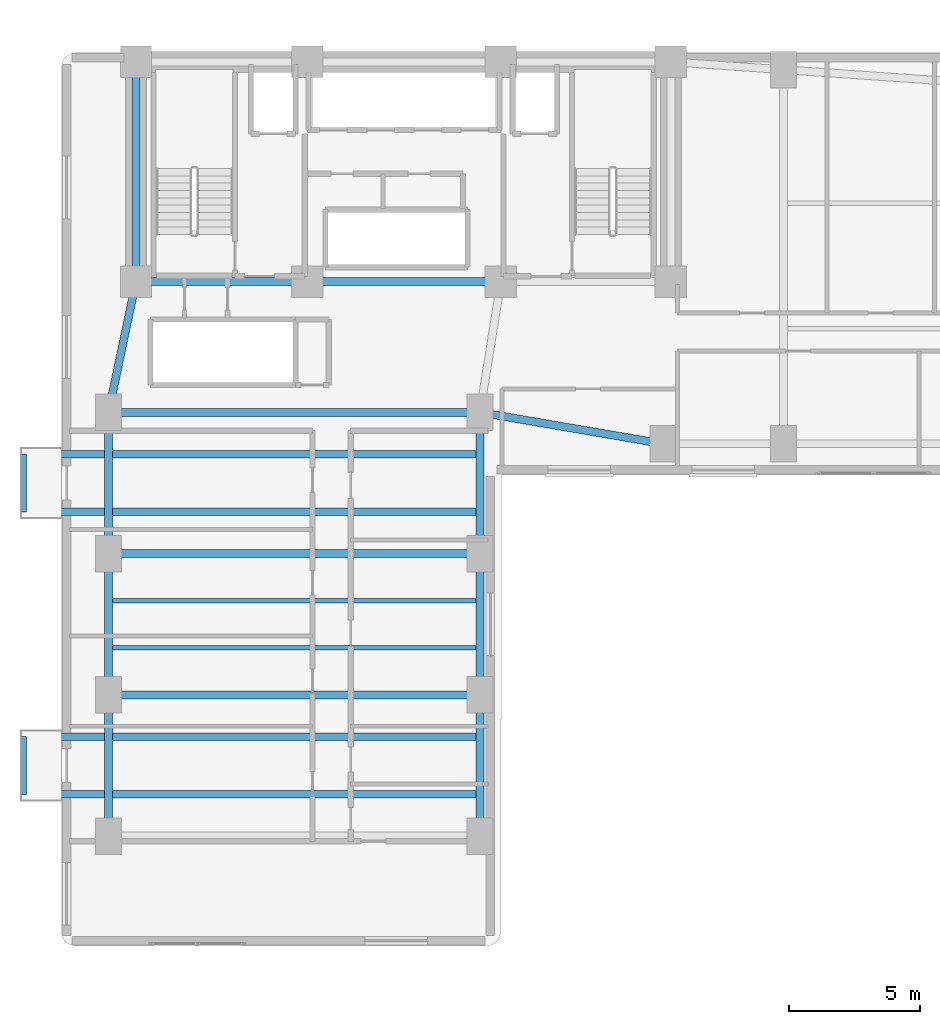
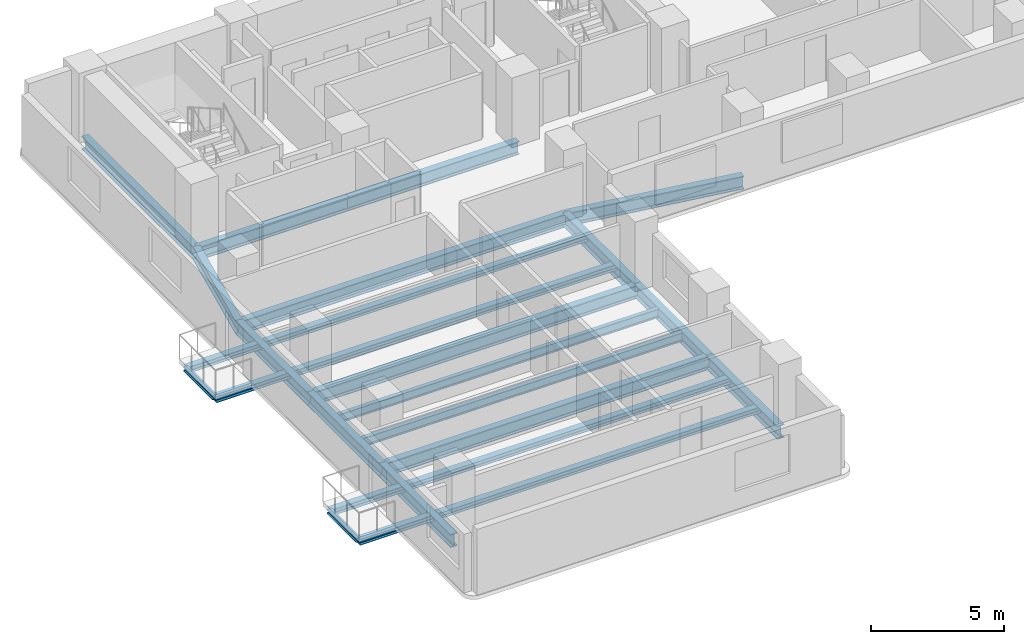
# One storey, part 3 of 17: 22 beams.
"""IFC4 building model written with IfcOpenShell, lengths in metres."""

from ifc_helpers import new_model, si_unit, direction, frame, origin, origin_2d, place, context, subcontext, project, spatial, i_section, extrude, material, material_profile, profile_set, type_object, element, save


model = new_model("IFC4")

# Units and contexts
model_context = context("Model", 3, precision=1e-05, world=origin(), true_north=direction((0.0, 1.0)))
body_context = subcontext(model_context, "Body", "Model", "MODEL_VIEW")
ifc_project = project(units=[si_unit("LENGTHUNIT", "METRE"), si_unit("AREAUNIT", "SQUARE_METRE"), si_unit("VOLUMEUNIT", "CUBIC_METRE"), si_unit("PLANEANGLEUNIT", "RADIAN"), si_unit("MASSUNIT", "GRAM", prefix="KILO")], contexts=[model_context])

# Site, building, storey
site_placement = place(None, origin())
site = spatial("IfcSite", under=ifc_project, at=site_placement, CompositionType="ELEMENT")
building_placement = place(site_placement, origin())
building = spatial("IfcBuilding", under=site, at=building_placement, Name="Kuzgunbayir Cultural Tower", CompositionType="ELEMENT")
storey_placement = place(building_placement, frame((0.0, 0.0, 43.60009765625)))
storey = spatial("IfcBuildingStorey", under=building, at=storey_placement, Name="L11", CompositionType="ELEMENT", Elevation=43.60009765625)

# Beams
ifc_material = material(Name="Steel S355J2", Category="steel")
ifc_material_profile_1 = material_profile(ifc_material, i_section(OverallWidth=0.280029296875, OverallDepth=0.280029296875, WebThickness=0.010498046875, FlangeThickness=0.01806640625, FilletRadius=0.02392578125, at=origin_2d()), Name="HEB 280")
ifc_profile_set_1 = profile_set([ifc_material_profile_1], Name="Steel S355J2")
beam_type_1 = type_object("IfcBeamType", Name="BM-BAL-HEB280", PredefinedType="BEAM", material=ifc_profile_set_1)
for number, where, z_axis, x_axis, name in (
    (1, (2.159912109375, 14.199951171875, -0.340087890625), (1.0, 0.0, 0.0), (0.0, 1.0, 0.0), "L11 Balcony Outrigger Beam BAL-L11-WA1.1"),
    (2, (2.159912109375, 16.39990234375, -0.340087890625), (1.0, 0.0, 0.0), (0.0, 1.0, 0.0), "L11 Balcony Outrigger Beam BAL-L11-WA1.2"),
    (3, (2.159912109375, 25.0, -0.340087890625), (1.0, 0.0, 0.0), (0.0, 1.0, 0.0), "L11 Balcony Outrigger Beam BAL-L11-WA3.1"),
    (4, (2.159912109375, 27.199951171875, -0.340087890625), (1.0, 0.0, 0.0), (0.0, 1.0, 0.0), "L11 Balcony Outrigger Beam BAL-L11-WA3.2"),
):
    element("IfcBeam", number, at=place(storey_placement, frame(where, z_axis=z_axis, x_axis=x_axis)), inside=storey, type_object=beam_type_1, Name=name, PredefinedType="BEAM", context=body_context, shape_type="SweptSolid", body=[
        extrude(i_section(OverallWidth=0.280029296875, OverallDepth=0.280029296875, WebThickness=0.010498046875, FlangeThickness=0.01806640625, FilletRadius=0.02392578125, at=origin_2d()), origin(), (0.0, 0.0, 1.0), 17.440185546875),
    ])
ifc_material_profile_2 = material_profile(ifc_material, i_section(OverallWidth=0.199951171875, OverallDepth=0.199951171875, WebThickness=0.009033203125, FlangeThickness=0.014892578125, FilletRadius=0.01806640625, at=origin_2d()), Name="HEB 200")
ifc_profile_set_2 = profile_set([ifc_material_profile_2], Name="Steel S355J2")
beam_type_2 = type_object("IfcBeamType", Name="BM-CAN-HEB200", PredefinedType="BEAM", material=ifc_profile_set_2)
for number, where, z_axis, x_axis, name in (
    (5, (2.159912109375, 14.199951171875, -0.300048828125), (0.0, 1.0, 0.0), (-1.0, 0.0, 0.0), "L11 Balcony Edge Header BAL-L11-WA1"),
    (6, (2.159912109375, 25.0, -0.300048828125), (0.0, 1.0, 0.0), (-1.0, 0.0, 0.0), "L11 Balcony Edge Header BAL-L11-WA3"),
):
    element("IfcBeam", number, at=place(storey_placement, frame(where, z_axis=z_axis, x_axis=x_axis)), inside=storey, type_object=beam_type_2, Name=name, PredefinedType="BEAM", context=body_context, shape_type="SweptSolid", body=[
        extrude(i_section(OverallWidth=0.199951171875, OverallDepth=0.199951171875, WebThickness=0.009033203125, FlangeThickness=0.014892578125, FilletRadius=0.01806640625, at=origin_2d()), origin(), (0.0, 0.0, 1.0), 2.199951171875),
    ])
ifc_material_profile_3 = material_profile(ifc_material, i_section(OverallWidth=0.300048828125, OverallDepth=0.60009765625, WebThickness=0.015380859375, FlangeThickness=0.030029296875, FilletRadius=0.027099609375, at=origin_2d()), Name="HEB 600")
ifc_profile_set_3 = profile_set([ifc_material_profile_3], Name="Steel S355J2")
beam_type_3 = type_object("IfcBeamType", Name="BM-EXT-HEB600", PredefinedType="BEAM", material=ifc_profile_set_3)
for number, where, z_axis, x_axis, name in (
    (7, (5.39990234375, 12.60009765625, -0.47998046875), (0.0, 1.0, 0.0), (-1.0, 0.0, 0.0), "L11 Wing A West Girder 1"),
    (8, (19.60009765625, 12.60009765625, -0.47998046875), (0.0, 1.0, 0.0), (-1.0, 0.0, 0.0), "L11 Wing A East Girder 1"),
    (9, (5.39990234375, 18.0, -0.47998046875), (0.0, 1.0, 0.0), (-1.0, 0.0, 0.0), "L11 Wing A West Girder 2"),
    (10, (19.60009765625, 18.0, -0.47998046875), (0.0, 1.0, 0.0), (-1.0, 0.0, 0.0), "L11 Wing A East Girder 2"),
):
    element("IfcBeam", number, at=place(storey_placement, frame(where, z_axis=z_axis, x_axis=x_axis)), inside=storey, type_object=beam_type_3, Name=name, PredefinedType="BEAM", context=body_context, shape_type="SweptSolid", body=[
        extrude(i_section(OverallWidth=0.300048828125, OverallDepth=0.60009765625, WebThickness=0.015380859375, FlangeThickness=0.030029296875, FilletRadius=0.027099609375, at=origin_2d()), origin(), (0.0, 0.0, 1.0), 5.39990234375),
    ])
for number, where, z_axis, x_axis, name in (
    (11, (5.39990234375, 23.39990234375, -0.47998046875), (0.0, 1.0, 0.0), (-1.0, 0.0, 0.0), "L11 Wing A West Girder 3"),
    (12, (19.60009765625, 23.39990234375, -0.47998046875), (0.0, 1.0, 0.0), (-1.0, 0.0, 0.0), "L11 Wing A East Girder 3"),
):
    element("IfcBeam", number, at=place(storey_placement, frame(where, z_axis=z_axis, x_axis=x_axis)), inside=storey, type_object=beam_type_3, Name=name, PredefinedType="BEAM", context=body_context, shape_type="SweptSolid", body=[
        extrude(i_section(OverallWidth=0.300048828125, OverallDepth=0.60009765625, WebThickness=0.015380859375, FlangeThickness=0.030029296875, FilletRadius=0.027099609375, at=origin_2d()), origin(), (0.0, 0.0, 1.0), 5.400146484375),
    ])
ifc_material_profile_4 = material_profile(ifc_material, i_section(OverallWidth=0.300048828125, OverallDepth=0.60009765625, WebThickness=0.015380859375, FlangeThickness=0.030029296875, FilletRadius=0.027099609375, at=origin_2d()), Name="HEB 600")
ifc_profile_set_4 = profile_set([ifc_material_profile_4], Name="Steel S355J2")
beam_type_4 = type_object("IfcBeamType", Name="BM-GIR-HEB600", PredefinedType="BEAM", material=ifc_profile_set_4)
beam_1_placement = place(storey_placement, frame((6.449951171875, 33.800048828125, -0.47998046875), z_axis=(1.0, 0.0, 0.0), x_axis=(0.0, 1.0, 0.0)))
element("IfcBeam", 13, at=beam_1_placement, inside=storey, type_object=beam_type_4, Name="L11 Core South Girder 1", PredefinedType="BEAM", context=body_context, shape_type="SweptSolid", body=[
    extrude(i_section(OverallWidth=0.300048828125, OverallDepth=0.60009765625, WebThickness=0.015380859375, FlangeThickness=0.030029296875, FilletRadius=0.027099609375, at=origin_2d()), origin(), (0.0, 0.0, 1.0), 6.550048828125),
])
beam_2_placement = place(storey_placement, frame((13.0, 33.800048828125, -0.47998046875), z_axis=(1.0, 0.0, 0.0), x_axis=(0.0, 1.0, 0.0)))
element("IfcBeam", 14, at=beam_2_placement, inside=storey, type_object=beam_type_4, Name="L11 Core South Girder 2", PredefinedType="BEAM", context=body_context, shape_type="SweptSolid", body=[
    extrude(i_section(OverallWidth=0.300048828125, OverallDepth=0.60009765625, WebThickness=0.015380859375, FlangeThickness=0.030029296875, FilletRadius=0.027099609375, at=origin_2d()), origin(), (0.0, 0.0, 1.0), 7.39990234375),
])
beam_3_placement = place(storey_placement, frame((6.449951171875, 33.800048828125, -0.47998046875), z_axis=(0.0, 1.0, 0.0), x_axis=(-1.0, 0.0, 0.0)))
element("IfcBeam", 15, at=beam_3_placement, inside=storey, type_object=beam_type_4, Name="L11 Core West Edge Girder", PredefinedType="BEAM", context=body_context, shape_type="SweptSolid", body=[
    extrude(i_section(OverallWidth=0.300048828125, OverallDepth=0.60009765625, WebThickness=0.015380859375, FlangeThickness=0.030029296875, FilletRadius=0.027099609375, at=origin_2d()), origin(), (0.0, 0.0, 1.0), 8.39990234375),
])
for number, where, z_axis, x_axis, name in (
    (16, (5.39990234375, 18.0, -0.47998046875), (1.0, 0.0, 0.0), (0.0, 1.0, 0.0), "L11 Wing A Transverse Girder 2"),
    (17, (5.39990234375, 23.39990234375, -0.47998046875), (1.0, 0.0, 0.0), (0.0, 1.0, 0.0), "L11 Wing A Transverse Girder 3"),
    (18, (5.39990234375, 28.800048828125, -0.47998046875), (1.0, 0.0, 0.0), (0.0, 1.0, 0.0), "L11 Wing A Transverse Girder 4"),
):
    element("IfcBeam", number, at=place(storey_placement, frame(where, z_axis=z_axis, x_axis=x_axis)), inside=storey, type_object=beam_type_4, Name=name, PredefinedType="BEAM", context=body_context, shape_type="SweptSolid", body=[
        extrude(i_section(OverallWidth=0.300048828125, OverallDepth=0.60009765625, WebThickness=0.015380859375, FlangeThickness=0.030029296875, FilletRadius=0.027099609375, at=origin_2d()), origin(), (0.0, 0.0, 1.0), 14.2001953125),
    ])
beam_4_placement = place(storey_placement, frame((5.39990234375, 28.800048828125, -0.47998046875), z_axis=(0.205526387753, 0.978651574329, 0.0), x_axis=(-0.978651574329, 0.205526387753, 0.0)))
element("IfcBeam", 19, at=beam_4_placement, inside=storey, type_object=beam_type_4, Name="L11 Wing A West Core Floor Girder", PredefinedType="BEAM", context=body_context, shape_type="SweptSolid", body=[
    extrude(i_section(OverallWidth=0.300048828125, OverallDepth=0.60009765625, WebThickness=0.015380859375, FlangeThickness=0.030029296875, FilletRadius=0.027099609375, at=origin_2d()), origin(), (0.0, 0.0, 1.0), 5.109130859375),
])
beam_5_placement = place(storey_placement, frame((19.60009765625, 28.800048828125, -0.47998046875), z_axis=(0.985623399742, -0.168957136221, 0.0), x_axis=(0.168957136221, 0.985623399742, 0.0)))
element("IfcBeam", 20, at=beam_5_placement, inside=storey, type_object=beam_type_4, Name="L11 Wing B Waist Tie Girder", PredefinedType="BEAM", context=body_context, shape_type="SweptSolid", body=[
    extrude(i_section(OverallWidth=0.300048828125, OverallDepth=0.60009765625, WebThickness=0.015380859375, FlangeThickness=0.030029296875, FilletRadius=0.027099609375, at=origin_2d()), origin(), (0.0, 0.0, 1.0), 7.10205078125),
])
ifc_material_profile_5 = material_profile(ifc_material, i_section(OverallWidth=0.179931640625, OverallDepth=0.39990234375, WebThickness=0.008544921875, FlangeThickness=0.013427734375, FilletRadius=0.02099609375, at=origin_2d()), Name="IPE 400")
ifc_profile_set_5 = profile_set([ifc_material_profile_5], Name="Steel S355J2")
beam_type_5 = type_object("IfcBeamType", Name="BM-JST-IPE400", PredefinedType="JOIST", material=ifc_profile_set_5)
for number, where, z_axis, x_axis, name in (
    (21, (5.550048828125, 19.800048828125, -0.380126953125), (1.0, 0.0, 0.0), (0.0, 1.0, 0.0), "L11 Wing A Secondary Joist 3"),
    (22, (5.550048828125, 21.60009765625, -0.380126953125), (1.0, 0.0, 0.0), (0.0, 1.0, 0.0), "L11 Wing A Secondary Joist 4"),
):
    element("IfcBeam", number, at=place(storey_placement, frame(where, z_axis=z_axis, x_axis=x_axis)), inside=storey, type_object=beam_type_5, Name=name, PredefinedType="JOIST", context=body_context, shape_type="SweptSolid", body=[
        extrude(i_section(OverallWidth=0.179931640625, OverallDepth=0.39990234375, WebThickness=0.008544921875, FlangeThickness=0.013427734375, FilletRadius=0.02099609375, at=origin_2d()), origin(), (0.0, 0.0, 1.0), 13.89990234375),
    ])

save(model, "model.ifc")
